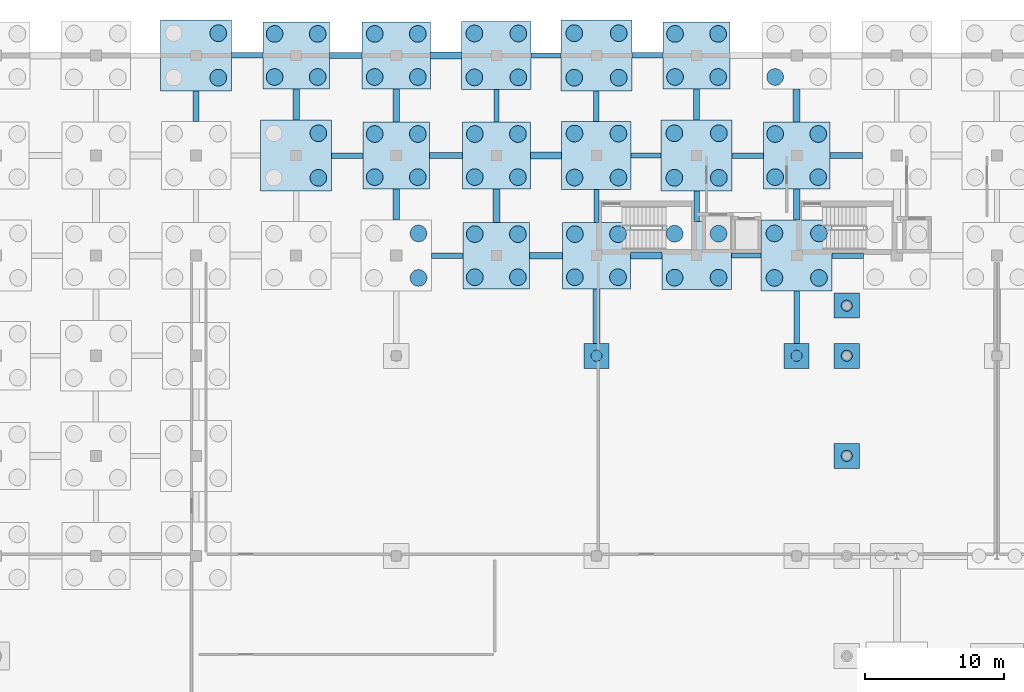
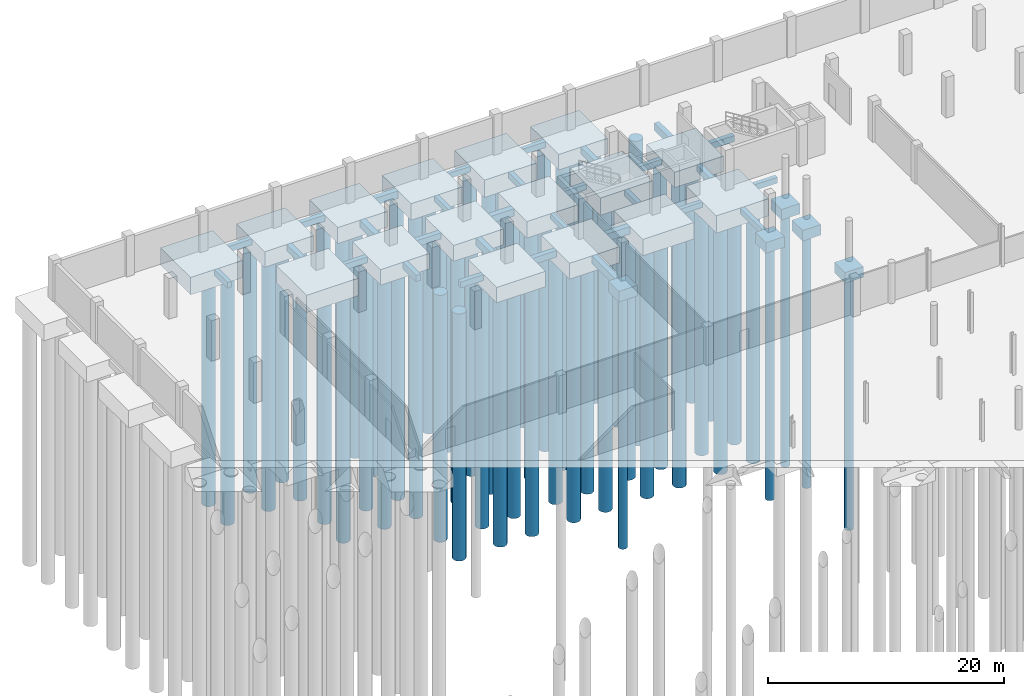
# One storey, part 8 of 56: 68 piles, 51 footings.
"""IFC4 building model written with IfcOpenShell, lengths in metres."""

from ifc_helpers import new_model, si_unit, direction, frame, origin, origin_2d, place, context, subcontext, project, spatial, rectangle, circle, extrude, material, material_profile, profile_set, type_object, element, save


model = new_model("IFC4")

# Units and contexts
model_context = context("Model", 3, precision=1e-05, world=origin(), true_north=direction((0.0, 1.0)))
body_context = subcontext(model_context, "Body", "Model", "MODEL_VIEW")
ifc_project = project(units=[si_unit("LENGTHUNIT", "METRE"), si_unit("AREAUNIT", "SQUARE_METRE"), si_unit("VOLUMEUNIT", "CUBIC_METRE"), si_unit("PLANEANGLEUNIT", "RADIAN"), si_unit("MASSUNIT", "GRAM", prefix="KILO")], contexts=[model_context])

# Site, building, storey
site_placement = place(None, origin())
site = spatial("IfcSite", under=ifc_project, at=site_placement, CompositionType="ELEMENT")
building_placement = place(site_placement, origin())
building = spatial("IfcBuilding", under=site, at=building_placement, Name="Suanplinth Sawtooth Commons", CompositionType="ELEMENT")
storey_placement = place(building_placement, frame((0.0, 0.0, -4.199951171875)))
storey = spatial("IfcBuildingStorey", under=building, at=storey_placement, Name="B1", CompositionType="ELEMENT", Elevation=-4.199951171875)

# Footings
ifc_material_1 = material(Name="Concrete C35/45", Category="concrete")
ifc_material_profile_1 = material_profile(ifc_material_1, rectangle(XDim=0.449951171875, YDim=0.64990234375, at=origin_2d()), Name="PC-GDR 450x650")
ifc_profile_set_1 = profile_set([ifc_material_profile_1], Name="Concrete C35/45")
footing_type_1 = type_object("IfcFootingType", Name="FB-01", PredefinedType="FOOTING_BEAM", material=ifc_profile_set_1)
footing_1_placement = place(storey_placement, frame((21.60009765625, 117.75, -0.824951171875), z_axis=(0.0, 1.0, 0.0), x_axis=(-1.0, 0.0, 0.0)))
element("IfcFooting", 1, at=footing_1_placement, inside=storey, type_object=footing_type_1, Name="Foundation Tie Beam 4/S-T", PredefinedType="FOOTING_BEAM", context=body_context, shape_type="SweptSolid", body=[
    extrude(rectangle(XDim=0.449951171875, YDim=0.64990234375, at=origin_2d()), origin(), (0.0, 0.0, 1.0), 2.25),
])
footing_2_placement = place(storey_placement, frame((24.0, 122.39990234375, -0.824951171875), z_axis=(1.0, 0.0, 0.0), x_axis=(0.0, 1.0, 0.0)))
element("IfcFooting", 2, at=footing_2_placement, inside=storey, type_object=footing_type_1, Name="Foundation Tie Beam 4-5/T", PredefinedType="FOOTING_BEAM", context=body_context, shape_type="SweptSolid", body=[
    extrude(rectangle(XDim=0.449951171875, YDim=0.64990234375, at=origin_2d()), origin(), (0.0, 0.0, 1.0), 2.35009765625),
])
footing_3_placement = place(storey_placement, frame((28.800048828125, 110.550048828125, -0.824951171875), z_axis=(0.0, 1.0, 0.0), x_axis=(-1.0, 0.0, 0.0)))
element("IfcFooting", 3, at=footing_3_placement, inside=storey, type_object=footing_type_1, Name="Foundation Tie Beam 5/R-S", PredefinedType="FOOTING_BEAM", context=body_context, shape_type="SweptSolid", body=[
    extrude(rectangle(XDim=0.449951171875, YDim=0.64990234375, at=origin_2d()), origin(), (0.0, 0.0, 1.0), 2.25),
])
for number, where, z_axis, x_axis, name in (
    (4, (31.199951171875, 115.199951171875, -0.824951171875), (1.0, 0.0, 0.0), (0.0, 1.0, 0.0), "Foundation Tie Beam 5-6/S"),
    (5, (38.39990234375, 108.0, -0.824951171875), (1.0, 0.0, 0.0), (0.0, 1.0, 0.0), "Foundation Tie Beam 6-7/R"),
):
    element("IfcFooting", number, at=place(storey_placement, frame(where, z_axis=z_axis, x_axis=x_axis)), inside=storey, type_object=footing_type_1, Name=name, PredefinedType="FOOTING_BEAM", context=body_context, shape_type="SweptSolid", body=[
        extrude(rectangle(XDim=0.449951171875, YDim=0.64990234375, at=origin_2d()), origin(), (0.0, 0.0, 1.0), 2.35009765625),
    ])
for number, where, z_axis, x_axis, name in (
    (6, (50.39990234375, 117.75, -0.824951171875), (0.0, 1.0, 0.0), (-1.0, 0.0, 0.0), "Foundation Tie Beam 8/S-T"),
    (7, (57.60009765625, 110.550048828125, -0.824951171875), (0.0, 1.0, 0.0), (-1.0, 0.0, 0.0), "Foundation Tie Beam 9/R-S"),
):
    element("IfcFooting", number, at=place(storey_placement, frame(where, z_axis=z_axis, x_axis=x_axis)), inside=storey, type_object=footing_type_1, Name=name, PredefinedType="FOOTING_BEAM", context=body_context, shape_type="SweptSolid", body=[
        extrude(rectangle(XDim=0.449951171875, YDim=0.64990234375, at=origin_2d()), origin(), (0.0, 0.0, 1.0), 2.25),
    ])
footing_4_placement = place(storey_placement, frame((60.0, 115.199951171875, -0.824951171875), z_axis=(1.0, 0.0, 0.0), x_axis=(0.0, 1.0, 0.0)))
element("IfcFooting", 8, at=footing_4_placement, inside=storey, type_object=footing_type_1, Name="Foundation Tie Beam 9-10/S", PredefinedType="FOOTING_BEAM", context=body_context, shape_type="SweptSolid", body=[
    extrude(rectangle(XDim=0.449951171875, YDim=0.64990234375, at=origin_2d()), origin(), (0.0, 0.0, 1.0), 2.35009765625),
])
ifc_material_profile_2 = material_profile(ifc_material_1, rectangle(XDim=0.5, YDim=0.75, at=origin_2d()), Name="RC-GDR 500x750")
ifc_profile_set_2 = profile_set([ifc_material_profile_2], Name="Concrete C35/45")
footing_type_2 = type_object("IfcFootingType", Name="FB-02", PredefinedType="FOOTING_BEAM", material=ifc_profile_set_2)
footing_5_placement = place(storey_placement, frame((28.800048828125, 117.60009765625, -0.875), z_axis=(0.0, 1.0, 0.0), x_axis=(-1.0, 0.0, 0.0)))
element("IfcFooting", 9, at=footing_5_placement, inside=storey, type_object=footing_type_2, Name="Foundation Tie Beam 5/S-T", PredefinedType="FOOTING_BEAM", context=body_context, shape_type="SweptSolid", body=[
    extrude(rectangle(XDim=0.5, YDim=0.75, at=origin_2d()), origin(), (0.0, 0.0, 1.0), 2.39990234375),
])
footing_6_placement = place(storey_placement, frame((31.25, 122.39990234375, -0.875), z_axis=(1.0, 0.0, 0.0), x_axis=(0.0, 1.0, 0.0)))
element("IfcFooting", 10, at=footing_6_placement, inside=storey, type_object=footing_type_2, Name="Foundation Tie Beam 5-6/T", PredefinedType="FOOTING_BEAM", context=body_context, shape_type="SweptSolid", body=[
    extrude(rectangle(XDim=0.5, YDim=0.75, at=origin_2d()), origin(), (0.0, 0.0, 1.0), 2.25),
])
footing_7_placement = place(storey_placement, frame((36.0, 110.39990234375, -0.875), z_axis=(0.0, 1.0, 0.0), x_axis=(-1.0, 0.0, 0.0)))
element("IfcFooting", 11, at=footing_7_placement, inside=storey, type_object=footing_type_2, Name="Foundation Tie Beam 6/R-S", PredefinedType="FOOTING_BEAM", context=body_context, shape_type="SweptSolid", body=[
    extrude(rectangle(XDim=0.5, YDim=0.75, at=origin_2d()), origin(), (0.0, 0.0, 1.0), 2.400146484375),
])
footing_8_placement = place(storey_placement, frame((38.449951171875, 115.199951171875, -0.875), z_axis=(1.0, 0.0, 0.0), x_axis=(0.0, 1.0, 0.0)))
element("IfcFooting", 12, at=footing_8_placement, inside=storey, type_object=footing_type_2, Name="Foundation Tie Beam 6-7/S", PredefinedType="FOOTING_BEAM", context=body_context, shape_type="SweptSolid", body=[
    extrude(rectangle(XDim=0.5, YDim=0.75, at=origin_2d()), origin(), (0.0, 0.0, 1.0), 2.25),
])
footing_9_placement = place(storey_placement, frame((43.199951171875, 101.699951171875, -0.875), z_axis=(0.0, 1.0, 0.0), x_axis=(-1.0, 0.0, 0.0)))
element("IfcFooting", 13, at=footing_9_placement, inside=storey, type_object=footing_type_2, Name="Foundation Tie Beam 7/Q-R", PredefinedType="FOOTING_BEAM", context=body_context, shape_type="SweptSolid", body=[
    extrude(rectangle(XDim=0.5, YDim=0.75, at=origin_2d()), origin(), (0.0, 0.0, 1.0), 3.900146484375),
])
footing_10_placement = place(storey_placement, frame((45.64990234375, 108.0, -0.875), z_axis=(1.0, 0.0, 0.0), x_axis=(0.0, 1.0, 0.0)))
element("IfcFooting", 14, at=footing_10_placement, inside=storey, type_object=footing_type_2, Name="Foundation Tie Beam 7-8/R", PredefinedType="FOOTING_BEAM", context=body_context, shape_type="SweptSolid", body=[
    extrude(rectangle(XDim=0.5, YDim=0.75, at=origin_2d()), origin(), (0.0, 0.0, 1.0), 2.25),
])
footing_11_placement = place(storey_placement, frame((57.60009765625, 117.60009765625, -0.875), z_axis=(0.0, 1.0, 0.0), x_axis=(-1.0, 0.0, 0.0)))
element("IfcFooting", 15, at=footing_11_placement, inside=storey, type_object=footing_type_2, Name="Foundation Tie Beam 9/S-T", PredefinedType="FOOTING_BEAM", context=body_context, shape_type="SweptSolid", body=[
    extrude(rectangle(XDim=0.5, YDim=0.75, at=origin_2d()), origin(), (0.0, 0.0, 1.0), 2.39990234375),
])
ifc_material_profile_3 = material_profile(ifc_material_1, rectangle(XDim=0.35009765625, YDim=0.550048828125, at=origin_2d()), Name="PC-BM 350x550")
ifc_profile_set_3 = profile_set([ifc_material_profile_3], Name="Concrete C35/45")
footing_type_3 = type_object("IfcFootingType", Name="FB-03", PredefinedType="FOOTING_BEAM", material=ifc_profile_set_3)
footing_12_placement = place(storey_placement, frame((36.0, 117.60009765625, -0.775146484375), z_axis=(0.0, 1.0, 0.0), x_axis=(-1.0, 0.0, 0.0)))
element("IfcFooting", 16, at=footing_12_placement, inside=storey, type_object=footing_type_3, Name="Foundation Tie Beam 6/S-T", PredefinedType="FOOTING_BEAM", context=body_context, shape_type="SweptSolid", body=[
    extrude(rectangle(XDim=0.35009765625, YDim=0.550048828125, at=origin_2d()), origin(), (0.0, 0.0, 1.0), 2.349853515625),
])
footing_13_placement = place(storey_placement, frame((38.5, 122.39990234375, -0.775146484375), z_axis=(1.0, 0.0, 0.0), x_axis=(0.0, 1.0, 0.0)))
element("IfcFooting", 17, at=footing_13_placement, inside=storey, type_object=footing_type_3, Name="Foundation Tie Beam 6-7/T", PredefinedType="FOOTING_BEAM", context=body_context, shape_type="SweptSolid", body=[
    extrude(rectangle(XDim=0.35009765625, YDim=0.550048828125, at=origin_2d()), origin(), (0.0, 0.0, 1.0), 2.14990234375),
])
footing_14_placement = place(storey_placement, frame((43.199951171875, 110.39990234375, -0.775146484375), z_axis=(0.0, 1.0, 0.0), x_axis=(-1.0, 0.0, 0.0)))
element("IfcFooting", 18, at=footing_14_placement, inside=storey, type_object=footing_type_3, Name="Foundation Tie Beam 7/R-S", PredefinedType="FOOTING_BEAM", context=body_context, shape_type="SweptSolid", body=[
    extrude(rectangle(XDim=0.35009765625, YDim=0.550048828125, at=origin_2d()), origin(), (0.0, 0.0, 1.0), 2.35009765625),
])
for number, where, z_axis, x_axis, name in (
    (19, (45.699951171875, 115.199951171875, -0.775146484375), (1.0, 0.0, 0.0), (0.0, 1.0, 0.0), "Foundation Tie Beam 7-8/S"),
    (20, (52.89990234375, 108.0, -0.775146484375), (1.0, 0.0, 0.0), (0.0, 1.0, 0.0), "Foundation Tie Beam 8-9/R"),
):
    element("IfcFooting", number, at=place(storey_placement, frame(where, z_axis=z_axis, x_axis=x_axis)), inside=storey, type_object=footing_type_3, Name=name, PredefinedType="FOOTING_BEAM", context=body_context, shape_type="SweptSolid", body=[
        extrude(rectangle(XDim=0.35009765625, YDim=0.550048828125, at=origin_2d()), origin(), (0.0, 0.0, 1.0), 2.150146484375),
    ])
ifc_material_profile_4 = material_profile(ifc_material_1, rectangle(XDim=0.39990234375, YDim=0.60009765625, at=origin_2d()), Name="PC-GDR 400x600")
ifc_profile_set_4 = profile_set([ifc_material_profile_4], Name="Concrete C35/45")
footing_type_4 = type_object("IfcFootingType", Name="FB-04", PredefinedType="FOOTING_BEAM", material=ifc_profile_set_4)
footing_15_placement = place(storey_placement, frame((14.39990234375, 117.64990234375, -0.800048828125), z_axis=(0.0, 1.0, 0.0), x_axis=(-1.0, 0.0, 0.0)))
element("IfcFooting", 21, at=footing_15_placement, inside=storey, type_object=footing_type_4, Name="Foundation Tie Beam 3/S-T", PredefinedType="FOOTING_BEAM", context=body_context, shape_type="SweptSolid", body=[
    extrude(rectangle(XDim=0.39990234375, YDim=0.60009765625, at=origin_2d()), origin(), (0.0, 0.0, 1.0), 2.2001953125),
])
for number, where, z_axis, x_axis, name in (
    (22, (16.949951171875, 122.39990234375, -0.800048828125), (1.0, 0.0, 0.0), (0.0, 1.0, 0.0), "Foundation Tie Beam 3-4/T"),
    (23, (24.14990234375, 115.199951171875, -0.800048828125), (1.0, 0.0, 0.0), (0.0, 1.0, 0.0), "Foundation Tie Beam 4-5/S"),
    (24, (31.35009765625, 108.0, -0.800048828125), (1.0, 0.0, 0.0), (0.0, 1.0, 0.0), "Foundation Tie Beam 5-6/R"),
):
    element("IfcFooting", number, at=place(storey_placement, frame(where, z_axis=z_axis, x_axis=x_axis)), inside=storey, type_object=footing_type_4, Name=name, PredefinedType="FOOTING_BEAM", context=body_context, shape_type="SweptSolid", body=[
        extrude(rectangle(XDim=0.39990234375, YDim=0.60009765625, at=origin_2d()), origin(), (0.0, 0.0, 1.0), 2.25),
    ])
footing_16_placement = place(storey_placement, frame((43.199951171875, 117.64990234375, -0.800048828125), z_axis=(0.0, 1.0, 0.0), x_axis=(-1.0, 0.0, 0.0)))
element("IfcFooting", 25, at=footing_16_placement, inside=storey, type_object=footing_type_4, Name="Foundation Tie Beam 7/S-T", PredefinedType="FOOTING_BEAM", context=body_context, shape_type="SweptSolid", body=[
    extrude(rectangle(XDim=0.39990234375, YDim=0.60009765625, at=origin_2d()), origin(), (0.0, 0.0, 1.0), 2.2001953125),
])
footing_17_placement = place(storey_placement, frame((45.75, 122.39990234375, -0.800048828125), z_axis=(1.0, 0.0, 0.0), x_axis=(0.0, 1.0, 0.0)))
element("IfcFooting", 26, at=footing_17_placement, inside=storey, type_object=footing_type_4, Name="Foundation Tie Beam 7-8/T", PredefinedType="FOOTING_BEAM", context=body_context, shape_type="SweptSolid", body=[
    extrude(rectangle(XDim=0.39990234375, YDim=0.60009765625, at=origin_2d()), origin(), (0.0, 0.0, 1.0), 2.25),
])
footing_18_placement = place(storey_placement, frame((50.39990234375, 110.449951171875, -0.800048828125), z_axis=(0.0, 1.0, 0.0), x_axis=(-1.0, 0.0, 0.0)))
element("IfcFooting", 27, at=footing_18_placement, inside=storey, type_object=footing_type_4, Name="Foundation Tie Beam 8/R-S", PredefinedType="FOOTING_BEAM", context=body_context, shape_type="SweptSolid", body=[
    extrude(rectangle(XDim=0.39990234375, YDim=0.60009765625, at=origin_2d()), origin(), (0.0, 0.0, 1.0), 2.199951171875),
])
footing_19_placement = place(storey_placement, frame((52.949951171875, 115.199951171875, -0.800048828125), z_axis=(1.0, 0.0, 0.0), x_axis=(0.0, 1.0, 0.0)))
element("IfcFooting", 28, at=footing_19_placement, inside=storey, type_object=footing_type_4, Name="Foundation Tie Beam 8-9/S", PredefinedType="FOOTING_BEAM", context=body_context, shape_type="SweptSolid", body=[
    extrude(rectangle(XDim=0.39990234375, YDim=0.60009765625, at=origin_2d()), origin(), (0.0, 0.0, 1.0), 2.25),
])
footing_20_placement = place(storey_placement, frame((57.60009765625, 101.699951171875, -0.800048828125), z_axis=(0.0, 1.0, 0.0), x_axis=(-1.0, 0.0, 0.0)))
element("IfcFooting", 29, at=footing_20_placement, inside=storey, type_object=footing_type_4, Name="Foundation Tie Beam 9/Q-R", PredefinedType="FOOTING_BEAM", context=body_context, shape_type="SweptSolid", body=[
    extrude(rectangle(XDim=0.39990234375, YDim=0.60009765625, at=origin_2d()), origin(), (0.0, 0.0, 1.0), 3.75),
])
footing_21_placement = place(storey_placement, frame((60.14990234375, 108.0, -0.800048828125), z_axis=(1.0, 0.0, 0.0), x_axis=(0.0, 1.0, 0.0)))
element("IfcFooting", 30, at=footing_21_placement, inside=storey, type_object=footing_type_4, Name="Foundation Tie Beam 9-10/R", PredefinedType="FOOTING_BEAM", context=body_context, shape_type="SweptSolid", body=[
    extrude(rectangle(XDim=0.39990234375, YDim=0.60009765625, at=origin_2d()), origin(), (0.0, 0.0, 1.0), 2.25),
])
footing_type_5 = type_object("IfcFootingType", Name="FC-01", PredefinedType="PILE_CAP", material=ifc_material_1)
for number, where, z_axis, x_axis, name in (
    (31, (43.199951171875, 100.800048828125, -1.60009765625), (0.0, 0.0, 1.0), (1.0, 0.0, 0.0), "Pile Cap 7/Q"),
    (32, (57.60009765625, 100.800048828125, -1.60009765625), (0.0, 0.0, 1.0), (1.0, 0.0, 0.0), "Pile Cap 9/Q"),
    (33, (61.199951171875, 93.60009765625, -1.60009765625), (0.0, 0.0, 1.0), (1.0, 0.0, 0.0), "West Breezeway Cap W10"),
    (34, (61.199951171875, 100.800048828125, -1.60009765625), (0.0, 0.0, 1.0), (1.0, 0.0, 0.0), "West Breezeway Cap W11"),
    (35, (61.199951171875, 104.39990234375, -1.60009765625), (0.0, 0.0, 1.0), (1.0, 0.0, 0.0), "West Breezeway Cap W12"),
):
    element("IfcFooting", number, at=place(storey_placement, frame(where, z_axis=z_axis, x_axis=x_axis)), inside=storey, type_object=footing_type_5, Name=name, PredefinedType="PILE_CAP", context=body_context, shape_type="SweptSolid", body=[
        extrude(rectangle(XDim=1.800048828125, YDim=1.800048828125, at=origin_2d()), origin(), (0.0, 0.0, 1.0), 1.10009765625),
    ])
footing_type_6 = type_object("IfcFootingType", Name="FC-11", PredefinedType="PILE_CAP", material=ifc_material_1)
for number, where, z_axis, x_axis, name in (
    (36, (21.60009765625, 122.39990234375, -2.10009765625), (0.0, 0.0, 1.0), (1.0, 0.0, 0.0), "Pile Cap 4/T"),
    (37, (28.800048828125, 115.199951171875, -2.10009765625), (0.0, 0.0, 1.0), (1.0, 0.0, 0.0), "Pile Cap 5/S"),
    (38, (36.0, 108.0, -2.10009765625), (0.0, 0.0, 1.0), (1.0, 0.0, 0.0), "Pile Cap 6/R"),
    (39, (50.39990234375, 122.39990234375, -2.10009765625), (0.0, 0.0, 1.0), (1.0, 0.0, 0.0), "Pile Cap 8/T"),
    (40, (57.60009765625, 115.199951171875, -2.10009765625), (0.0, 0.0, 1.0), (1.0, 0.0, 0.0), "Pile Cap 9/S"),
):
    element("IfcFooting", number, at=place(storey_placement, frame(where, z_axis=z_axis, x_axis=x_axis)), inside=storey, type_object=footing_type_6, Name=name, PredefinedType="PILE_CAP", context=body_context, shape_type="SweptSolid", body=[
        extrude(rectangle(XDim=4.800048828125, YDim=4.800048828125, at=origin_2d()), origin(), (0.0, 0.0, 1.0), 1.60009765625),
    ])
footing_type_7 = type_object("IfcFootingType", Name="FC-12", PredefinedType="PILE_CAP", material=ifc_material_1)
for number, where, z_axis, x_axis, name in (
    (41, (28.800048828125, 122.39990234375, -2.14990234375), (0.0, 0.0, 1.0), (1.0, 0.0, 0.0), "Pile Cap 5/T"),
    (42, (36.0, 115.199951171875, -2.14990234375), (0.0, 0.0, 1.0), (1.0, 0.0, 0.0), "Pile Cap 6/S"),
    (43, (43.199951171875, 108.0, -2.14990234375), (0.0, 0.0, 1.0), (1.0, 0.0, 0.0), "Pile Cap 7/R"),
):
    element("IfcFooting", number, at=place(storey_placement, frame(where, z_axis=z_axis, x_axis=x_axis)), inside=storey, type_object=footing_type_7, Name=name, PredefinedType="PILE_CAP", context=body_context, shape_type="SweptSolid", body=[
        extrude(rectangle(XDim=4.89990234375, YDim=4.800048828125, at=origin_2d()), origin(), (0.0, 0.0, 1.0), 1.64990234375),
    ])
footing_type_8 = type_object("IfcFootingType", Name="FC-13", PredefinedType="PILE_CAP", material=ifc_material_1)
for number, where, z_axis, x_axis, name in (
    (44, (36.0, 122.39990234375, -2.2001953125), (0.0, 0.0, 1.0), (1.0, 0.0, 0.0), "Pile Cap 6/T"),
    (45, (43.199951171875, 115.199951171875, -2.2001953125), (0.0, 0.0, 1.0), (1.0, 0.0, 0.0), "Pile Cap 7/S"),
    (46, (50.39990234375, 108.0, -2.2001953125), (0.0, 0.0, 1.0), (1.0, 0.0, 0.0), "Pile Cap 8/R"),
):
    element("IfcFooting", number, at=place(storey_placement, frame(where, z_axis=z_axis, x_axis=x_axis)), inside=storey, type_object=footing_type_8, Name=name, PredefinedType="PILE_CAP", context=body_context, shape_type="SweptSolid", body=[
        extrude(rectangle(XDim=5.0, YDim=4.89990234375, at=origin_2d()), origin(), (0.0, 0.0, 1.0), 1.699951171875),
    ])
footing_type_9 = type_object("IfcFootingType", Name="FC-14", PredefinedType="PILE_CAP", material=ifc_material_1)
for number, where, z_axis, x_axis, name in (
    (47, (14.39990234375, 122.39990234375, -2.30029296875), (0.0, 0.0, 1.0), (1.0, 0.0, 0.0), "Pile Cap 3/T"),
    (48, (21.60009765625, 115.199951171875, -2.30029296875), (0.0, 0.0, 1.0), (1.0, 0.0, 0.0), "Pile Cap 4/S"),
    (49, (43.199951171875, 122.39990234375, -2.30029296875), (0.0, 0.0, 1.0), (1.0, 0.0, 0.0), "Pile Cap 7/T"),
    (50, (50.39990234375, 115.199951171875, -2.30029296875), (0.0, 0.0, 1.0), (1.0, 0.0, 0.0), "Pile Cap 8/S"),
    (51, (57.60009765625, 108.0, -2.30029296875), (0.0, 0.0, 1.0), (1.0, 0.0, 0.0), "Pile Cap 9/R"),
):
    element("IfcFooting", number, at=place(storey_placement, frame(where, z_axis=z_axis, x_axis=x_axis)), inside=storey, type_object=footing_type_9, Name=name, PredefinedType="PILE_CAP", context=body_context, shape_type="SweptSolid", body=[
        extrude(rectangle(XDim=5.10009765625, YDim=5.10009765625, at=origin_2d()), origin(), (0.0, 0.0, 1.0), 1.800048828125),
    ])

# Piles
ifc_material_2 = material(Name="Concrete C32/40", Category="concrete")
ifc_material_profile_5 = material_profile(ifc_material_2, circle(Radius=0.39990234375, at=origin_2d()), Name="PILE D800")
ifc_profile_set_5 = profile_set([ifc_material_profile_5], Name="Concrete C32/40")
pile_type_1 = type_object("IfcPileType", Name="P-01", PredefinedType="BORED", material=ifc_profile_set_5)
for number, where, z_axis, x_axis, name in (
    (52, (43.199951171875, 100.800048828125, -1.5), (0.0, 0.0, -1.0), (1.0, 0.0, 0.0), "Bored Pile 7/Q-1"),
    (53, (57.60009765625, 100.800048828125, -1.5), (0.0, 0.0, -1.0), (1.0, 0.0, 0.0), "Bored Pile 9/Q-1"),
    (54, (61.199951171875, 93.60009765625, -1.5), (0.0, 0.0, -1.0), (1.0, 0.0, 0.0), "West Breezeway Pile W10"),
    (55, (61.199951171875, 100.800048828125, -1.5), (0.0, 0.0, -1.0), (1.0, 0.0, 0.0), "West Breezeway Pile W11"),
    (56, (61.199951171875, 104.39990234375, -1.5), (0.0, 0.0, -1.0), (1.0, 0.0, 0.0), "West Breezeway Pile W12"),
):
    element("IfcPile", number, at=place(storey_placement, frame(where, z_axis=z_axis, x_axis=x_axis)), inside=storey, type_object=pile_type_1, Name=name, PredefinedType="BORED", context=body_context, shape_type="SweptSolid", body=[
        extrude(circle(Radius=0.39990234375, at=origin_2d()), origin(), (0.0, 0.0, 1.0), 26.300048828125),
    ])
ifc_material_profile_6 = material_profile(ifc_material_2, circle(Radius=0.60009765625, at=origin_2d()), Name="PILE D1200")
ifc_profile_set_6 = profile_set([ifc_material_profile_6], Name="Concrete C32/40")
pile_type_2 = type_object("IfcPileType", Name="P-03", PredefinedType="BORED", material=ifc_profile_set_6)
for number, where, z_axis, x_axis, name in (
    (57, (16.0, 120.800048828125, -2.199951171875), (0.0, 0.0, -1.0), (1.0, 0.0, 0.0), "Bored Pile 3/T-2"),
    (58, (16.0, 124.0, -2.199951171875), (0.0, 0.0, -1.0), (1.0, 0.0, 0.0), "Bored Pile 3/T-4"),
    (59, (23.199951171875, 113.60009765625, -2.199951171875), (0.0, 0.0, -1.0), (1.0, 0.0, 0.0), "Bored Pile 4/S-2"),
    (60, (23.199951171875, 116.800048828125, -2.199951171875), (0.0, 0.0, -1.0), (1.0, 0.0, 0.0), "Bored Pile 4/S-4"),
):
    element("IfcPile", number, at=place(storey_placement, frame(where, z_axis=z_axis, x_axis=x_axis)), inside=storey, type_object=pile_type_2, Name=name, PredefinedType="BORED", context=body_context, shape_type="SweptSolid", body=[
        extrude(circle(Radius=0.60009765625, at=origin_2d()), origin(), (0.0, 0.0, 1.0), 25.60009765625),
    ])
for number, where, z_axis, x_axis, name in (
    (61, (20.050048828125, 120.85009765625, -2.0), (0.0, 0.0, -1.0), (1.0, 0.0, 0.0), "Bored Pile 4/T-1"),
    (62, (23.14990234375, 120.85009765625, -2.0), (0.0, 0.0, -1.0), (1.0, 0.0, 0.0), "Bored Pile 4/T-2"),
    (63, (20.050048828125, 123.949951171875, -2.0), (0.0, 0.0, -1.0), (1.0, 0.0, 0.0), "Bored Pile 4/T-3"),
    (64, (23.14990234375, 123.949951171875, -2.0), (0.0, 0.0, -1.0), (1.0, 0.0, 0.0), "Bored Pile 4/T-4"),
):
    element("IfcPile", number, at=place(storey_placement, frame(where, z_axis=z_axis, x_axis=x_axis)), inside=storey, type_object=pile_type_2, Name=name, PredefinedType="BORED", context=body_context, shape_type="SweptSolid", body=[
        extrude(circle(Radius=0.60009765625, at=origin_2d()), origin(), (0.0, 0.0, 1.0), 25.800048828125),
    ])
for number, where, z_axis, x_axis, name in (
    (65, (30.39990234375, 106.39990234375, -2.199951171875), (0.0, 0.0, -1.0), (1.0, 0.0, 0.0), "Bored Pile 5/R-2"),
    (66, (30.39990234375, 109.60009765625, -2.199951171875), (0.0, 0.0, -1.0), (1.0, 0.0, 0.0), "Bored Pile 5/R-4"),
):
    element("IfcPile", number, at=place(storey_placement, frame(where, z_axis=z_axis, x_axis=x_axis)), inside=storey, type_object=pile_type_2, Name=name, PredefinedType="BORED", context=body_context, shape_type="SweptSolid", body=[
        extrude(circle(Radius=0.60009765625, at=origin_2d()), origin(), (0.0, 0.0, 1.0), 25.60009765625),
    ])
for number, where, z_axis, x_axis, name in (
    (67, (27.25, 113.64990234375, -2.0), (0.0, 0.0, -1.0), (1.0, 0.0, 0.0), "Bored Pile 5/S-1"),
    (68, (30.35009765625, 113.64990234375, -2.0), (0.0, 0.0, -1.0), (1.0, 0.0, 0.0), "Bored Pile 5/S-2"),
    (69, (27.25, 116.75, -2.0), (0.0, 0.0, -1.0), (1.0, 0.0, 0.0), "Bored Pile 5/S-3"),
    (70, (30.35009765625, 116.75, -2.0), (0.0, 0.0, -1.0), (1.0, 0.0, 0.0), "Bored Pile 5/S-4"),
):
    element("IfcPile", number, at=place(storey_placement, frame(where, z_axis=z_axis, x_axis=x_axis)), inside=storey, type_object=pile_type_2, Name=name, PredefinedType="BORED", context=body_context, shape_type="SweptSolid", body=[
        extrude(circle(Radius=0.60009765625, at=origin_2d()), origin(), (0.0, 0.0, 1.0), 25.800048828125),
    ])
for number, where, z_axis, x_axis, name in (
    (71, (27.25, 120.85009765625, -2.050048828125), (0.0, 0.0, -1.0), (1.0, 0.0, 0.0), "Bored Pile 5/T-1"),
    (72, (30.35009765625, 120.85009765625, -2.050048828125), (0.0, 0.0, -1.0), (1.0, 0.0, 0.0), "Bored Pile 5/T-2"),
    (73, (27.25, 123.949951171875, -2.050048828125), (0.0, 0.0, -1.0), (1.0, 0.0, 0.0), "Bored Pile 5/T-3"),
    (74, (30.35009765625, 123.949951171875, -2.050048828125), (0.0, 0.0, -1.0), (1.0, 0.0, 0.0), "Bored Pile 5/T-4"),
):
    element("IfcPile", number, at=place(storey_placement, frame(where, z_axis=z_axis, x_axis=x_axis)), inside=storey, type_object=pile_type_2, Name=name, PredefinedType="BORED", context=body_context, shape_type="SweptSolid", body=[
        extrude(circle(Radius=0.60009765625, at=origin_2d()), origin(), (0.0, 0.0, 1.0), 25.75),
    ])
for number, where, z_axis, x_axis, name in (
    (75, (34.449951171875, 106.449951171875, -2.0), (0.0, 0.0, -1.0), (1.0, 0.0, 0.0), "Bored Pile 6/R-1"),
    (76, (37.550048828125, 106.449951171875, -2.0), (0.0, 0.0, -1.0), (1.0, 0.0, 0.0), "Bored Pile 6/R-2"),
    (77, (34.449951171875, 109.550048828125, -2.0), (0.0, 0.0, -1.0), (1.0, 0.0, 0.0), "Bored Pile 6/R-3"),
    (78, (37.550048828125, 109.550048828125, -2.0), (0.0, 0.0, -1.0), (1.0, 0.0, 0.0), "Bored Pile 6/R-4"),
):
    element("IfcPile", number, at=place(storey_placement, frame(where, z_axis=z_axis, x_axis=x_axis)), inside=storey, type_object=pile_type_2, Name=name, PredefinedType="BORED", context=body_context, shape_type="SweptSolid", body=[
        extrude(circle(Radius=0.60009765625, at=origin_2d()), origin(), (0.0, 0.0, 1.0), 25.800048828125),
    ])
for number, where, z_axis, x_axis, name in (
    (79, (34.449951171875, 113.64990234375, -2.050048828125), (0.0, 0.0, -1.0), (1.0, 0.0, 0.0), "Bored Pile 6/S-1"),
    (80, (37.550048828125, 113.64990234375, -2.050048828125), (0.0, 0.0, -1.0), (1.0, 0.0, 0.0), "Bored Pile 6/S-2"),
    (81, (34.449951171875, 116.75, -2.050048828125), (0.0, 0.0, -1.0), (1.0, 0.0, 0.0), "Bored Pile 6/S-3"),
    (82, (37.550048828125, 116.75, -2.050048828125), (0.0, 0.0, -1.0), (1.0, 0.0, 0.0), "Bored Pile 6/S-4"),
):
    element("IfcPile", number, at=place(storey_placement, frame(where, z_axis=z_axis, x_axis=x_axis)), inside=storey, type_object=pile_type_2, Name=name, PredefinedType="BORED", context=body_context, shape_type="SweptSolid", body=[
        extrude(circle(Radius=0.60009765625, at=origin_2d()), origin(), (0.0, 0.0, 1.0), 25.75),
    ])
for number, where, z_axis, x_axis, name in (
    (83, (34.419921875, 120.820068359375, -2.10009765625), (0.0, 0.0, -1.0), (1.0, 0.0, 0.0), "Bored Pile 6/T-1"),
    (84, (37.580078125, 120.820068359375, -2.10009765625), (0.0, 0.0, -1.0), (1.0, 0.0, 0.0), "Bored Pile 6/T-2"),
    (85, (34.419921875, 123.97998046875, -2.10009765625), (0.0, 0.0, -1.0), (1.0, 0.0, 0.0), "Bored Pile 6/T-3"),
    (86, (37.580078125, 123.97998046875, -2.10009765625), (0.0, 0.0, -1.0), (1.0, 0.0, 0.0), "Bored Pile 6/T-4"),
):
    element("IfcPile", number, at=place(storey_placement, frame(where, z_axis=z_axis, x_axis=x_axis)), inside=storey, type_object=pile_type_2, Name=name, PredefinedType="BORED", context=body_context, shape_type="SweptSolid", body=[
        extrude(circle(Radius=0.60009765625, at=origin_2d()), origin(), (0.0, 0.0, 1.0), 25.699951171875),
    ])
for number, where, z_axis, x_axis, name in (
    (87, (41.64990234375, 106.449951171875, -2.050048828125), (0.0, 0.0, -1.0), (1.0, 0.0, 0.0), "Bored Pile 7/R-1"),
    (88, (44.75, 106.449951171875, -2.050048828125), (0.0, 0.0, -1.0), (1.0, 0.0, 0.0), "Bored Pile 7/R-2"),
    (89, (41.64990234375, 109.550048828125, -2.050048828125), (0.0, 0.0, -1.0), (1.0, 0.0, 0.0), "Bored Pile 7/R-3"),
    (90, (44.75, 109.550048828125, -2.050048828125), (0.0, 0.0, -1.0), (1.0, 0.0, 0.0), "Bored Pile 7/R-4"),
):
    element("IfcPile", number, at=place(storey_placement, frame(where, z_axis=z_axis, x_axis=x_axis)), inside=storey, type_object=pile_type_2, Name=name, PredefinedType="BORED", context=body_context, shape_type="SweptSolid", body=[
        extrude(circle(Radius=0.60009765625, at=origin_2d()), origin(), (0.0, 0.0, 1.0), 25.75),
    ])
for number, where, z_axis, x_axis, name in (
    (91, (41.6201171875, 113.6201171875, -2.10009765625), (0.0, 0.0, -1.0), (1.0, 0.0, 0.0), "Bored Pile 7/S-1"),
    (92, (44.780029296875, 113.6201171875, -2.10009765625), (0.0, 0.0, -1.0), (1.0, 0.0, 0.0), "Bored Pile 7/S-2"),
    (93, (41.6201171875, 116.780029296875, -2.10009765625), (0.0, 0.0, -1.0), (1.0, 0.0, 0.0), "Bored Pile 7/S-3"),
    (94, (44.780029296875, 116.780029296875, -2.10009765625), (0.0, 0.0, -1.0), (1.0, 0.0, 0.0), "Bored Pile 7/S-4"),
):
    element("IfcPile", number, at=place(storey_placement, frame(where, z_axis=z_axis, x_axis=x_axis)), inside=storey, type_object=pile_type_2, Name=name, PredefinedType="BORED", context=body_context, shape_type="SweptSolid", body=[
        extrude(circle(Radius=0.60009765625, at=origin_2d()), origin(), (0.0, 0.0, 1.0), 25.699951171875),
    ])
for number, where, z_axis, x_axis, name in (
    (95, (41.60009765625, 120.800048828125, -2.199951171875), (0.0, 0.0, -1.0), (1.0, 0.0, 0.0), "Bored Pile 7/T-1"),
    (96, (44.800048828125, 120.800048828125, -2.199951171875), (0.0, 0.0, -1.0), (1.0, 0.0, 0.0), "Bored Pile 7/T-2"),
    (97, (41.60009765625, 124.0, -2.199951171875), (0.0, 0.0, -1.0), (1.0, 0.0, 0.0), "Bored Pile 7/T-3"),
    (98, (44.800048828125, 124.0, -2.199951171875), (0.0, 0.0, -1.0), (1.0, 0.0, 0.0), "Bored Pile 7/T-4"),
):
    element("IfcPile", number, at=place(storey_placement, frame(where, z_axis=z_axis, x_axis=x_axis)), inside=storey, type_object=pile_type_2, Name=name, PredefinedType="BORED", context=body_context, shape_type="SweptSolid", body=[
        extrude(circle(Radius=0.60009765625, at=origin_2d()), origin(), (0.0, 0.0, 1.0), 25.60009765625),
    ])
for number, where, z_axis, x_axis, name in (
    (99, (48.820068359375, 106.419921875, -2.10009765625), (0.0, 0.0, -1.0), (1.0, 0.0, 0.0), "Bored Pile 8/R-1"),
    (100, (51.97998046875, 106.419921875, -2.10009765625), (0.0, 0.0, -1.0), (1.0, 0.0, 0.0), "Bored Pile 8/R-2"),
    (101, (48.820068359375, 109.580078125, -2.10009765625), (0.0, 0.0, -1.0), (1.0, 0.0, 0.0), "Bored Pile 8/R-3"),
    (102, (51.97998046875, 109.580078125, -2.10009765625), (0.0, 0.0, -1.0), (1.0, 0.0, 0.0), "Bored Pile 8/R-4"),
):
    element("IfcPile", number, at=place(storey_placement, frame(where, z_axis=z_axis, x_axis=x_axis)), inside=storey, type_object=pile_type_2, Name=name, PredefinedType="BORED", context=body_context, shape_type="SweptSolid", body=[
        extrude(circle(Radius=0.60009765625, at=origin_2d()), origin(), (0.0, 0.0, 1.0), 25.699951171875),
    ])
for number, where, z_axis, x_axis, name in (
    (103, (48.800048828125, 113.60009765625, -2.199951171875), (0.0, 0.0, -1.0), (1.0, 0.0, 0.0), "Bored Pile 8/S-1"),
    (104, (52.0, 113.60009765625, -2.199951171875), (0.0, 0.0, -1.0), (1.0, 0.0, 0.0), "Bored Pile 8/S-2"),
    (105, (48.800048828125, 116.800048828125, -2.199951171875), (0.0, 0.0, -1.0), (1.0, 0.0, 0.0), "Bored Pile 8/S-3"),
    (106, (52.0, 116.800048828125, -2.199951171875), (0.0, 0.0, -1.0), (1.0, 0.0, 0.0), "Bored Pile 8/S-4"),
):
    element("IfcPile", number, at=place(storey_placement, frame(where, z_axis=z_axis, x_axis=x_axis)), inside=storey, type_object=pile_type_2, Name=name, PredefinedType="BORED", context=body_context, shape_type="SweptSolid", body=[
        extrude(circle(Radius=0.60009765625, at=origin_2d()), origin(), (0.0, 0.0, 1.0), 25.60009765625),
    ])
for number, where, z_axis, x_axis, name in (
    (107, (48.85009765625, 120.85009765625, -2.0), (0.0, 0.0, -1.0), (1.0, 0.0, 0.0), "Bored Pile 8/T-1"),
    (108, (51.949951171875, 120.85009765625, -2.0), (0.0, 0.0, -1.0), (1.0, 0.0, 0.0), "Bored Pile 8/T-2"),
    (109, (48.85009765625, 123.949951171875, -2.0), (0.0, 0.0, -1.0), (1.0, 0.0, 0.0), "Bored Pile 8/T-3"),
    (110, (51.949951171875, 123.949951171875, -2.0), (0.0, 0.0, -1.0), (1.0, 0.0, 0.0), "Bored Pile 8/T-4"),
):
    element("IfcPile", number, at=place(storey_placement, frame(where, z_axis=z_axis, x_axis=x_axis)), inside=storey, type_object=pile_type_2, Name=name, PredefinedType="BORED", context=body_context, shape_type="SweptSolid", body=[
        extrude(circle(Radius=0.60009765625, at=origin_2d()), origin(), (0.0, 0.0, 1.0), 25.800048828125),
    ])
for number, where, z_axis, x_axis, name in (
    (111, (56.0, 106.39990234375, -2.199951171875), (0.0, 0.0, -1.0), (1.0, 0.0, 0.0), "Bored Pile 9/R-1"),
    (112, (59.199951171875, 106.39990234375, -2.199951171875), (0.0, 0.0, -1.0), (1.0, 0.0, 0.0), "Bored Pile 9/R-2"),
    (113, (56.0, 109.60009765625, -2.199951171875), (0.0, 0.0, -1.0), (1.0, 0.0, 0.0), "Bored Pile 9/R-3"),
    (114, (59.199951171875, 109.60009765625, -2.199951171875), (0.0, 0.0, -1.0), (1.0, 0.0, 0.0), "Bored Pile 9/R-4"),
):
    element("IfcPile", number, at=place(storey_placement, frame(where, z_axis=z_axis, x_axis=x_axis)), inside=storey, type_object=pile_type_2, Name=name, PredefinedType="BORED", context=body_context, shape_type="SweptSolid", body=[
        extrude(circle(Radius=0.60009765625, at=origin_2d()), origin(), (0.0, 0.0, 1.0), 25.60009765625),
    ])
for number, where, z_axis, x_axis, name in (
    (115, (56.050048828125, 113.64990234375, -2.0), (0.0, 0.0, -1.0), (1.0, 0.0, 0.0), "Bored Pile 9/S-1"),
    (116, (59.14990234375, 113.64990234375, -2.0), (0.0, 0.0, -1.0), (1.0, 0.0, 0.0), "Bored Pile 9/S-2"),
    (117, (56.050048828125, 116.75, -2.0), (0.0, 0.0, -1.0), (1.0, 0.0, 0.0), "Bored Pile 9/S-3"),
    (118, (59.14990234375, 116.75, -2.0), (0.0, 0.0, -1.0), (1.0, 0.0, 0.0), "Bored Pile 9/S-4"),
):
    element("IfcPile", number, at=place(storey_placement, frame(where, z_axis=z_axis, x_axis=x_axis)), inside=storey, type_object=pile_type_2, Name=name, PredefinedType="BORED", context=body_context, shape_type="SweptSolid", body=[
        extrude(circle(Radius=0.60009765625, at=origin_2d()), origin(), (0.0, 0.0, 1.0), 25.800048828125),
    ])
pile_placement = place(storey_placement, frame((56.050048828125, 120.85009765625, -2.050048828125), z_axis=(0.0, 0.0, -1.0), x_axis=(1.0, 0.0, 0.0)))
element("IfcPile", 119, at=pile_placement, inside=storey, type_object=pile_type_2, Name="Bored Pile 9/T-1", PredefinedType="BORED", context=body_context, shape_type="SweptSolid", body=[
    extrude(circle(Radius=0.60009765625, at=origin_2d()), origin(), (0.0, 0.0, 1.0), 25.75),
])

save(model, "model.ifc")
